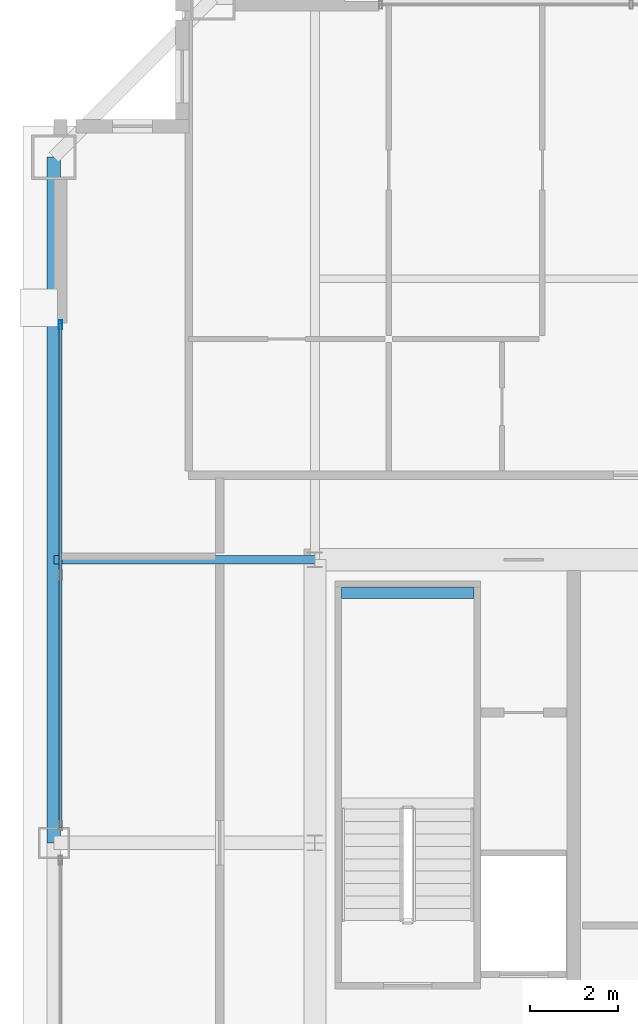
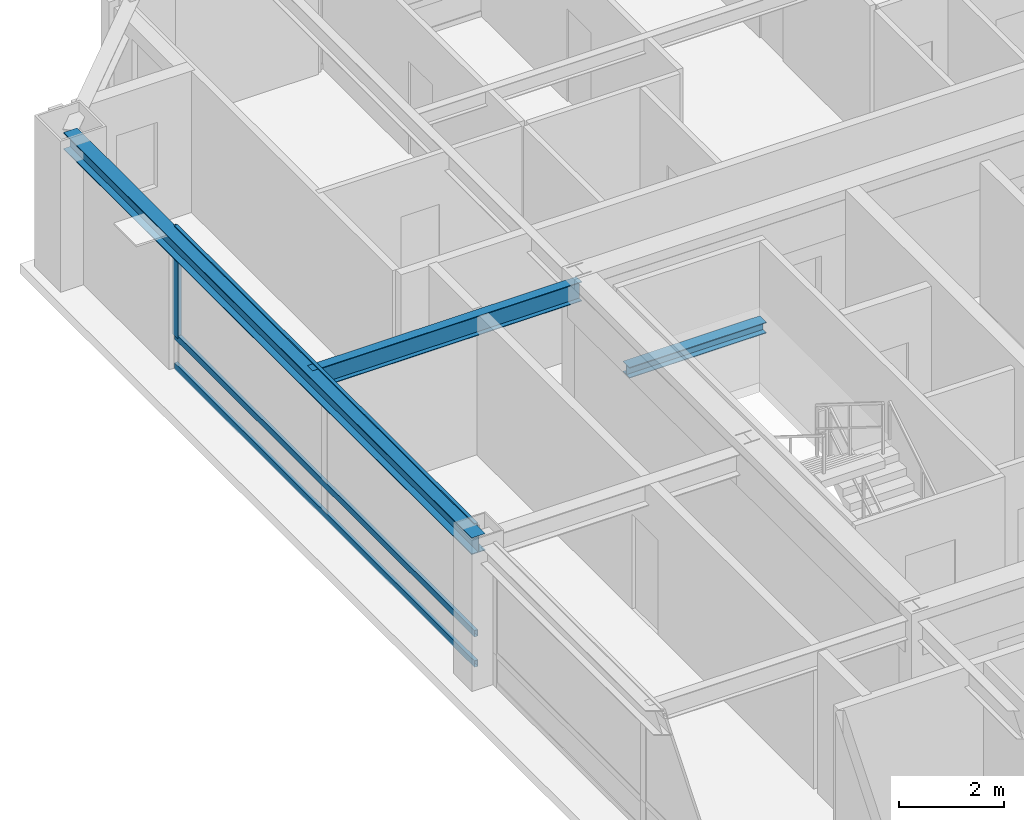
# One storey, part 12 of 35: 4 members, 3 beams, 1 element without a shape of its own.
"""IFC4 building model written with IfcOpenShell, lengths in metres."""

from ifc_helpers import new_model, si_unit, direction, frame, origin, origin_2d, place, context, subcontext, project, spatial, hollow_rectangle, i_section, extrude, source, transform, mapped, material, layer, layer_set, material_profile, profile_set, type_object, element, aggregate, save


model = new_model("IFC4")

# Units and contexts
model_context = context("Model", 3, precision=1e-05, world=origin(), true_north=direction((0.0, 1.0)))
body_context = subcontext(model_context, "Body", "Model", "MODEL_VIEW")
ifc_project = project(units=[si_unit("LENGTHUNIT", "METRE"), si_unit("AREAUNIT", "SQUARE_METRE"), si_unit("VOLUMEUNIT", "CUBIC_METRE"), si_unit("PLANEANGLEUNIT", "RADIAN"), si_unit("MASSUNIT", "GRAM", prefix="KILO"), si_unit("THERMODYNAMICTEMPERATUREUNIT", "KELVIN"), si_unit("POWERUNIT", "WATT")], contexts=[model_context])

# Site, building, storey
site_placement = place(None, origin())
site = spatial("IfcSite", under=ifc_project, at=site_placement, CompositionType="ELEMENT")
building_placement = place(site_placement, origin())
building = spatial("IfcBuilding", under=site, at=building_placement, Name="Yuzanri Waterfront Tower", CompositionType="ELEMENT")
storey_placement = place(building_placement, frame((0.0, 0.0, 289.10009765625)))
storey = spatial("IfcBuildingStorey", under=building, at=storey_placement, Name="L77", CompositionType="ELEMENT", Elevation=289.10009765625)

# Beams
ifc_material_1 = material(Name="Steel Q355B", Category="steel")
ifc_material_profile_1 = material_profile(ifc_material_1, i_section(OverallWidth=0.300048828125, OverallDepth=0.389892578125, WebThickness=0.010009765625, FlangeThickness=0.01611328125, at=origin_2d()), Name="HM 390x300x10x16")
ifc_profile_set_1 = profile_set([ifc_material_profile_1], Name="Steel Q355B")
beam_type_1 = type_object("IfcBeamType", Name="Perimeter Spandrel Q355B HM 390x300", PredefinedType="SPANDREL", material=ifc_profile_set_1)
shared_shape_1 = source(origin(), body_context, "Body", "SweptSolid", [
    extrude(i_section(OverallWidth=0.300048828125, OverallDepth=0.389892578125, WebThickness=0.010009765625, FlangeThickness=0.01611328125, at=origin_2d()), origin(), (0.0, 0.0, 1.0), 15.5),
])
beam_1_placement = place(storey_placement, frame((17.89990234375, 41.300048828125, 3.0849609375), z_axis=(0.0, -1.0, 0.0), x_axis=(1.0, 0.0, 0.0)))
element("IfcBeam", 1, at=beam_1_placement, inside=storey, type_object=beam_type_1, Name="L77 Perimeter Spandrel W3-W2", PredefinedType="SPANDREL", context=body_context, shape_type="MappedRepresentation", body=[
    mapped(shared_shape_1, transform((0.0, 0.0, 0.0), scale=1.0)),
])
ifc_material_2 = material(Name="Steel Q355B", Category="steel")
ifc_material_profile_2 = material_profile(ifc_material_2, i_section(OverallWidth=0.199951171875, OverallDepth=0.449951171875, WebThickness=0.009033203125, FlangeThickness=0.013916015625, at=origin_2d()), Name="HN 450x200x9x14")
ifc_profile_set_2 = profile_set([ifc_material_profile_2], Name="Steel Q355B")
beam_type_2 = type_object("IfcBeamType", Name="Secondary Floor Beam Q355B HN 450x200", PredefinedType="BEAM", material=ifc_profile_set_2)
shared_shape_2 = source(origin(), body_context, "Body", "SweptSolid", [
    extrude(i_section(OverallWidth=0.199951171875, OverallDepth=0.449951171875, WebThickness=0.009033203125, FlangeThickness=0.013916015625, at=origin_2d()), origin(), (0.0, 0.0, 1.0), 5.900146484375),
])
beam_2_placement = place(storey_placement, frame((23.800048828125, 32.199951171875, 3.054931640625), z_axis=(-1.0, 0.0, 0.0), x_axis=(0.0, -1.0, 0.0)))
element("IfcBeam", 2, at=beam_2_placement, inside=storey, type_object=beam_type_2, Name="L77 West-North Core Line Beam", PredefinedType="BEAM", context=body_context, shape_type="MappedRepresentation", body=[
    mapped(shared_shape_2, transform((0.0, 0.0, 0.0), scale=1.0)),
])

# Curtain wall, members
ifc_material_3 = material(Name="Anodized Architectural Bronze", Category="metal")
ifc_layer = layer(ifc_material_3, 0.159912109375)
ifc_layer_set = layer_set([ifc_layer], Name="Anodized Architectural Bronze")
curtain_wall_type = type_object("IfcCurtainWallType", Name="Anodized Bronze High-Rise Penthouse High-Wind Unitized Curtain Wall 6900", PredefinedType="NOTDEFINED", material=ifc_layer_set)
curtain_wall_placement = place(storey_placement, origin())
curtain_wall = element("IfcCurtainWall", 3, at=curtain_wall_placement, inside=storey, type_object=curtain_wall_type, Name="L77 Curtain Wall CW-L77-WR", PredefinedType="NOTDEFINED")
ifc_material_4 = material(Name="Anodized Architectural Bronze", Category="metal")
ifc_material_profile_3 = material_profile(ifc_material_4, hollow_rectangle(XDim=0.074951171875, YDim=0.199951171875, WallThickness=0.00390625, at=origin_2d()), Name="CWM 75x200")
ifc_profile_set_3 = profile_set([ifc_material_profile_3], Name="Anodized Architectural Bronze")
member_type_1 = type_object("IfcMemberType", Name="Anodized Bronze Primary Curtain-Wall Mullion 75x200", PredefinedType="MULLION", material=ifc_profile_set_3)
shared_shape_3 = source(origin(), body_context, "Body", "SweptSolid", [
    extrude(hollow_rectangle(XDim=0.074951171875, YDim=0.199951171875, WallThickness=0.00390625, at=origin_2d()), origin(), (0.0, 0.0, 1.0), 2.52392578125),
])
member_1_placement = place(storey_placement, frame((18.050048828125, 37.510009765625, 0.755859375), z_axis=(0.0, 0.0, 1.0), x_axis=(1.0, 0.0, 0.0)))
member_1 = element("IfcMember", 4, at=member_1_placement, type_object=member_type_1, Name="CW-L77-WR Upper Mullion 02", PredefinedType="MULLION", context=body_context, shape_type="MappedRepresentation", body=[
    mapped(shared_shape_3, transform((0.0, 0.0, 0.0), scale=1.0)),
])
ifc_material_5 = material(Name="Anodized Architectural Bronze", Category="metal")
ifc_material_profile_4 = material_profile(ifc_material_5, hollow_rectangle(XDim=0.074951171875, YDim=0.14990234375, WallThickness=0.00390625, at=origin_2d()), Name="CWT 75x150")
ifc_profile_set_4 = profile_set([ifc_material_profile_4], Name="Anodized Architectural Bronze")
member_type_2 = type_object("IfcMemberType", Name="Anodized Bronze Primary Curtain-Wall Transom 75x150", PredefinedType="USERDEFINED", material=ifc_profile_set_4)
shared_shape_4 = source(origin(), body_context, "Body", "SweptSolid", [
    extrude(hollow_rectangle(XDim=0.074951171875, YDim=0.14990234375, WallThickness=0.00390625, at=origin_2d()), origin(), (0.0, 0.0, 1.0), 11.400146484375),
])
member_2_placement = place(storey_placement, frame((18.050048828125, 26.14990234375, 0.0498046875), z_axis=(0.0, 1.0, 0.0), x_axis=(-1.0, 0.0, 0.0)))
member_2 = element("IfcMember", 5, at=member_2_placement, type_object=member_type_2, Name="CW-L77-WR Transom 1", ObjectType="TRANSOM", PredefinedType="USERDEFINED", context=body_context, shape_type="MappedRepresentation", body=[
    mapped(shared_shape_4, transform((0.0, 0.0, 0.0), scale=1.0)),
])
member_3_placement = place(storey_placement, frame((18.050048828125, 26.14990234375, 0.75390625), z_axis=(0.0, 1.0, 0.0), x_axis=(-1.0, 0.0, 0.0)))
member_3 = element("IfcMember", 6, at=member_3_placement, type_object=member_type_2, Name="CW-L77-WR Transom 2", ObjectType="TRANSOM", PredefinedType="USERDEFINED", context=body_context, shape_type="MappedRepresentation", body=[
    mapped(shared_shape_4, transform((0.0, 0.0, 0.0), scale=1.0)),
])
member_4_placement = place(storey_placement, frame((18.050048828125, 26.14990234375, 3.22998046875), z_axis=(0.0, 1.0, 0.0), x_axis=(-1.0, 0.0, 0.0)))
member_4 = element("IfcMember", 7, at=member_4_placement, type_object=member_type_2, Name="CW-L77-WR Transom 3", ObjectType="TRANSOM", PredefinedType="USERDEFINED", context=body_context, shape_type="MappedRepresentation", body=[
    mapped(shared_shape_4, transform((0.0, 0.0, 0.0), scale=1.0)),
])
aggregate(curtain_wall, [member_1, member_2, member_3, member_4])

# Beam
ifc_material_6 = material(Name="Steel Q355B", Category="steel")
ifc_material_profile_5 = material_profile(ifc_material_6, i_section(OverallWidth=0.25, OverallDepth=0.25, WebThickness=0.009033203125, FlangeThickness=0.013916015625, at=origin_2d()), Name="HW 250x250x9x14")
ifc_profile_set_5 = profile_set([ifc_material_profile_5], Name="Steel Q355B")
beam_type_3 = type_object("IfcBeamType", Name="Stair Landing Support Beam Q355B HW 250x250", PredefinedType="BEAM", material=ifc_profile_set_5)
shared_shape_5 = source(origin(), body_context, "Body", "SweptSolid", [
    extrude(i_section(OverallWidth=0.25, OverallDepth=0.25, WebThickness=0.009033203125, FlangeThickness=0.013916015625, at=origin_2d()), origin(), (0.0, 0.0, 1.0), 3.0),
])
beam_3_placement = place(storey_placement, frame((24.39990234375, 31.449951171875, 1.4248046875), z_axis=(1.0, 0.0, 0.0), x_axis=(0.0, 1.0, 0.0)))
element("IfcBeam", 8, at=beam_3_placement, inside=storey, type_object=beam_type_3, Name="L77 Stair Landing Support Beam ST-01-L77-L1-2", PredefinedType="BEAM", context=body_context, shape_type="MappedRepresentation", body=[
    mapped(shared_shape_5, transform((0.0, 0.0, 0.0), scale=1.0)),
])

save(model, "model.ifc")
